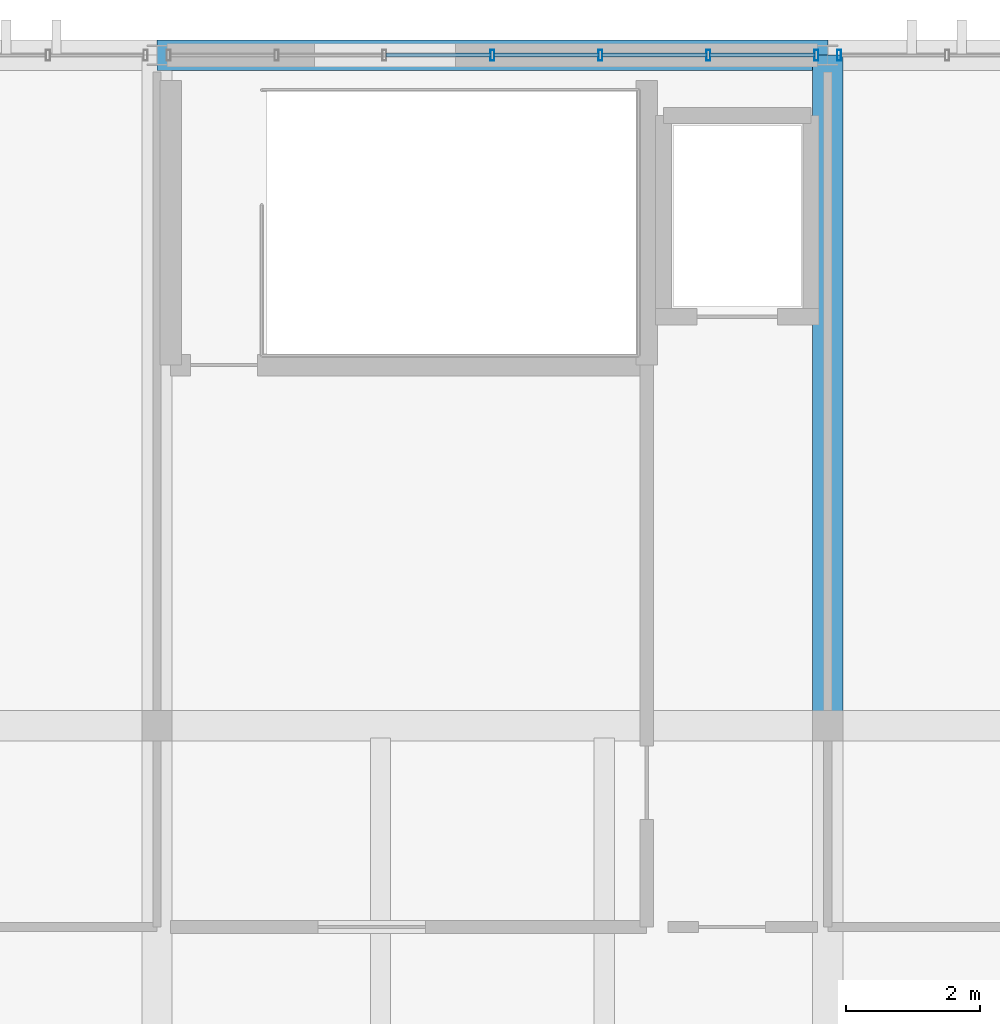
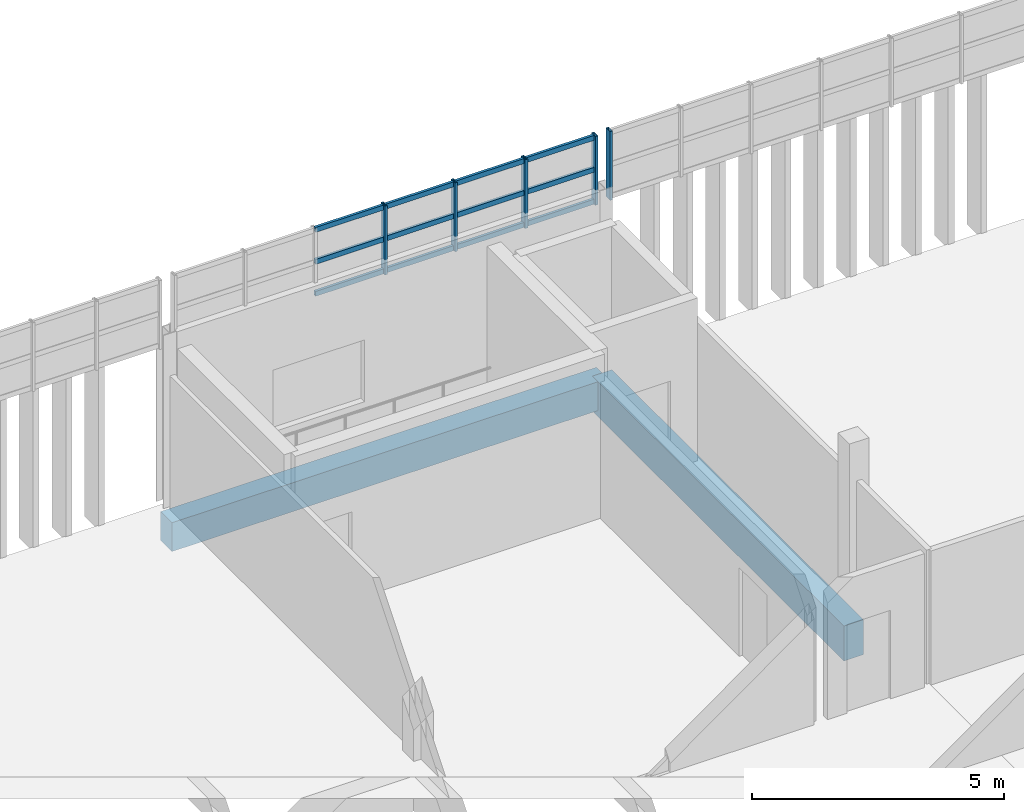
# One storey, part 23 of 36: 17 members, 2 beams, 2 elements without a shape of their own.
"""IFC4 building model written with IfcOpenShell, lengths in metres."""

import ifcopenshell
import ifcopenshell.guid

model = None  # the IFC model being written
_history = None  # IfcOwnerHistory: only IFC2X3 demands one
_inside = {}  # id of a spatial element -> (the spatial element, [elements in it])
_under = {}  # id of a project, library or spatial element -> (it, [spatial elements below it])
_declared = {}  # id of a project -> (the project, [libraries it declares])
_typed = {}  # id of a type object -> (the type object, [elements of that type])
_made_of = {}  # id of a material, layer set ... -> (it, [elements and type objects made of it])


def new_model(schema):
    """Start an empty IFC model of exactly this schema.

    Asked for "IFC4X3", IfcOpenShell would pick the latest addendum, in which some entities
    have other attributes; the version numbers below select the first issue.
    IFC2X3 requires an IfcOwnerHistory on every rooted entity: one is made here for all.
    """
    global model, _history
    if schema == "IFC4X3":
        model = ifcopenshell.file(schema_version=(4, 3, 0, 0))
    else:
        model = ifcopenshell.file(schema=schema)
    _inside.clear()
    _under.clear()
    _declared.clear()
    _typed.clear()
    _made_of.clear()
    _history = None
    if model.schema == "IFC2X3":
        org = make("IfcOrganization", Name="unknown")
        user = make(
            "IfcPersonAndOrganization",
            ThePerson=make("IfcPerson", FamilyName="unknown"),
            TheOrganization=org,
        )
        app = make(
            "IfcApplication",
            ApplicationDeveloper=org,
            Version="unknown",
            ApplicationFullName="unknown",
            ApplicationIdentifier="unknown",
        )
        _history = make(
            "IfcOwnerHistory",
            OwningUser=user,
            OwningApplication=app,
            ChangeAction="ADDED",
            CreationDate=0,
        )
    return model


def make(cls, **values):
    """One entity of the class cls with the attributes given. An attribute that is None is left unset."""
    return model.create_entity(
        cls, **{name: value for name, value in values.items() if value is not None}
    )


def rooted(cls, **values):
    """An entity with a GlobalId (a new one), such as an element, a storey or a relation."""
    return make(cls, GlobalId=ifcopenshell.guid.new(), OwnerHistory=_history, **values)


def si_unit(unit_type, name, prefix=None):
    """IfcSIUnit, for example si_unit("LENGTHUNIT", "METRE", prefix="MILLI")."""
    return make("IfcSIUnit", UnitType=unit_type, Prefix=prefix, Name=name)


def assignment(units):
    """IfcUnitAssignment: the units of a project."""
    return None if units is None else make("IfcUnitAssignment", Units=units)


def point(xyz):
    """IfcCartesianPoint."""
    return None if xyz is None else make("IfcCartesianPoint", Coordinates=xyz)


def direction(xyz):
    """IfcDirection."""
    return None if xyz is None else make("IfcDirection", DirectionRatios=xyz)


def frame(location, z_axis=None, x_axis=None):
    """IfcAxis2Placement3D, a coordinate frame: its origin and axes. An axis left out is left unset."""
    return make(
        "IfcAxis2Placement3D",
        Location=point(location),
        Axis=direction(z_axis),
        RefDirection=direction(x_axis),
    )


def frame_2d(location, x_axis=None):
    """IfcAxis2Placement2D, a coordinate frame in the plane: its origin and x axis."""
    return make(
        "IfcAxis2Placement2D", Location=point(location), RefDirection=direction(x_axis)
    )


def origin():
    """The frame at (0, 0, 0) with its axes left unset."""
    return frame((0.0, 0.0, 0.0))


def origin_2d():
    """The frame at (0, 0) in the plane with its x axis left unset."""
    return frame_2d((0.0, 0.0))


def place(relative_to, where):
    """IfcLocalPlacement: puts the frame where relative to a parent placement (None: the world)."""
    return make(
        "IfcLocalPlacement", PlacementRelTo=relative_to, RelativePlacement=where
    )


def context(
    kind, dimensions, precision=None, world=None, true_north=None, identifier=None
):
    """IfcGeometricRepresentationContext, for example the 3D "Model" context."""
    return make(
        "IfcGeometricRepresentationContext",
        ContextIdentifier=identifier,
        ContextType=kind,
        CoordinateSpaceDimension=dimensions,
        Precision=precision,
        WorldCoordinateSystem=world,
        TrueNorth=true_north,
    )


def subcontext(parent, identifier, kind, view, scale=None):
    """IfcGeometricRepresentationSubContext, for example "Body" below "Model"."""
    return make(
        "IfcGeometricRepresentationSubContext",
        ContextIdentifier=identifier,
        ContextType=kind,
        ParentContext=parent,
        TargetScale=scale,
        TargetView=view,
    )


def project(units=None, contexts=None):
    """IfcProject with its units and contexts."""
    return rooted(
        "IfcProject",
        Name="project",
        RepresentationContexts=contexts,
        UnitsInContext=assignment(units),
    )


def spatial(cls, under=None, at=None, **own):
    """A site, building, storey or space (cls), placed at a placement, below another one or the project."""
    s = rooted(cls, ObjectPlacement=at, **own)
    if under is not None:
        _under.setdefault(under.id(), (under, []))[1].append(s)
    return s


def profile(cls, at=None, kind="AREA", **sizes):
    """A parametric profile (cls). Its sizes go by their IFC names, for example OverallWidth=200.0."""
    return make(cls, ProfileType=kind, Position=at, **sizes)


def rectangle(**sizes):
    """IfcRectangleProfileDef."""
    return profile("IfcRectangleProfileDef", **sizes)


def hollow_rectangle(**sizes):
    """IfcRectangleHollowProfileDef."""
    return profile("IfcRectangleHollowProfileDef", **sizes)


def extrude(swept, where, along, depth):
    """IfcExtrudedAreaSolid: the profile swept, set in the frame where, extruded along a direction by depth."""
    return make(
        "IfcExtrudedAreaSolid",
        SweptArea=swept,
        Position=where,
        ExtrudedDirection=direction(along),
        Depth=depth,
    )


def shape(context_of_items, identifier, shape_type, items):
    """IfcShapeRepresentation: the items that make up one representation, for example the "Body"."""
    return make(
        "IfcShapeRepresentation",
        ContextOfItems=context_of_items,
        RepresentationIdentifier=identifier,
        RepresentationType=shape_type,
        Items=items,
    )


def material(Name=None, Category=None):
    """IfcMaterial."""
    return make("IfcMaterial", Name=Name, Category=Category)


def layer(
    of_material, thickness, ventilated=None, Name=None, Category=None, Priority=None
):
    """IfcMaterialLayer: one layer of a wall or slab, of a material (None: an air gap)."""
    return make(
        "IfcMaterialLayer",
        Material=of_material,
        LayerThickness=thickness,
        IsVentilated=ventilated,
        Name=Name,
        Category=Category,
        Priority=Priority,
    )


def layer_set(layers, Name=None):
    """IfcMaterialLayerSet."""
    return make("IfcMaterialLayerSet", MaterialLayers=layers, LayerSetName=Name)


def material_profile(
    of_material, cross_section, Name=None, Category=None, Priority=None
):
    """IfcMaterialProfile: a cross section and its material."""
    return make(
        "IfcMaterialProfile",
        Name=Name,
        Material=of_material,
        Profile=cross_section,
        Priority=Priority,
        Category=Category,
    )


def profile_set(profiles, Name=None, composite=None):
    """IfcMaterialProfileSet."""
    return make(
        "IfcMaterialProfileSet",
        Name=Name,
        MaterialProfiles=profiles,
        CompositeProfile=composite,
    )


def made_of(thing, what):
    """Note that an element or type object is made of a material, layer set ...; save() writes the relation."""
    if what is not None:
        _made_of.setdefault(what.id(), (what, []))[1].append(thing)
    return thing


def type_object(cls, material=None, **own):
    """A type object (cls), such as IfcWallType, which elements share."""
    return made_of(rooted(cls, **own), material)


def element(
    cls,
    number,
    at=None,
    inside=None,
    cuts=None,
    type_object=None,
    material=None,
    context=None,
    identifier="Body",
    shape_type=None,
    held_by="IfcProductDefinitionShape",
    body=None,
    shapes=None,
    **own,
):
    """One element of the class cls, such as IfcWall. Its Tag is "e" and its number.

    at: its placement. inside: the storey or other place that contains it. cuts: it is an
    opening in that element (IfcRelVoidsElement). A single representation is given by context,
    identifier, shape_type and body (its items); several are given by shapes. held_by: the class
    of the entity that holds the representations. save() writes the other relations.
    """
    e = rooted(cls, Tag="e%d" % number, ObjectPlacement=at, **own)
    if body is not None:
        shapes = [shape(context, identifier, shape_type, body)]
    if shapes is not None:
        e.Representation = make(held_by, Representations=shapes)
    if inside is not None:
        _inside.setdefault(inside.id(), (inside, []))[1].append(e)
    if cuts is not None:
        rooted(
            "IfcRelVoidsElement", RelatingBuildingElement=cuts, RelatedOpeningElement=e
        )
    if type_object is not None:
        _typed.setdefault(type_object.id(), (type_object, []))[1].append(e)
    return made_of(e, material)


def aggregate(whole, parts):
    """IfcRelAggregates: a whole, such as a stair, and the parts it consists of."""
    return rooted("IfcRelAggregates", RelatingObject=whole, RelatedObjects=parts)


def save(model, path):
    """Write the relations noted so far, then the file.

    IfcRelAggregates (storeys below a building ...), IfcRelContainedInSpatialStructure (elements
    in a storey), IfcRelDefinesByType, IfcRelAssociatesMaterial and IfcRelDeclares: one each for
    every whole, place, type object, material and project.
    """
    for whole, parts in _under.values():
        aggregate(whole, parts)
    for where, things in _inside.values():
        rooted(
            "IfcRelContainedInSpatialStructure",
            RelatedElements=things,
            RelatingStructure=where,
        )
    for kind, things in _typed.values():
        rooted("IfcRelDefinesByType", RelatedObjects=things, RelatingType=kind)
    for what, things in _made_of.values():
        rooted("IfcRelAssociatesMaterial", RelatedObjects=things, RelatingMaterial=what)
    for by, libraries in _declared.values():
        rooted("IfcRelDeclares", RelatingContext=by, RelatedDefinitions=libraries)
    model.write(path)


model = new_model("IFC4")

# Units and contexts
model_context = context("Model", 3, precision=1e-05, world=origin(), true_north=direction((0.0, 1.0)))
body_context = subcontext(model_context, "Body", "Model", "MODEL_VIEW")
ifc_project = project(units=[si_unit("LENGTHUNIT", "METRE"), si_unit("AREAUNIT", "SQUARE_METRE"), si_unit("VOLUMEUNIT", "CUBIC_METRE"), si_unit("PLANEANGLEUNIT", "RADIAN"), si_unit("MASSUNIT", "GRAM", prefix="KILO")], contexts=[model_context])

# Site, building, storey
site_placement = place(None, origin())
site = spatial("IfcSite", under=ifc_project, at=site_placement, CompositionType="ELEMENT")
building_placement = place(site_placement, origin())
building = spatial("IfcBuilding", under=site, at=building_placement, Name="Mersad Railyard Sports Hall", CompositionType="ELEMENT")
storey_placement = place(building_placement, frame((0.0, 0.0, 21.60009765625)))
storey = spatial("IfcBuildingStorey", under=building, at=storey_placement, Name="L05", CompositionType="ELEMENT", Elevation=21.60009765625)

# Curtain wall, members
ifc_material_1 = material(Name="Aluminium 6063-T6", Category="aluminium")
ifc_layer = layer(ifc_material_1, 0.159912109375)
ifc_layer_set = layer_set([ifc_layer], Name="Aluminium 6063-T6")
curtain_wall_type = type_object("IfcCurtainWallType", Name="ARC-CW-CW51", PredefinedType="USERDEFINED", material=ifc_layer_set)
curtain_wall_1_placement = place(storey_placement, origin())
curtain_wall_1 = element("IfcCurtainWall", 1, at=curtain_wall_1_placement, inside=storey, type_object=curtain_wall_type, Name="Curtain wall CW51-0133", ObjectType="CURTAIN WALL", PredefinedType="USERDEFINED")
ifc_material_profile_1 = material_profile(ifc_material_1, hollow_rectangle(XDim=0.06005859375, YDim=0.159912109375, WallThickness=0.00390625, at=origin_2d()), Name="AL MULLION 60x160x4")
ifc_profile_set_1 = profile_set([ifc_material_profile_1], Name="Aluminium 6063-T6")
member_type_1 = type_object("IfcMemberType", Name="ARC-CW-MUL01", PredefinedType="MULLION", material=ifc_profile_set_1)
member_1_placement = place(storey_placement, frame((96.0, 115.0, 3.829833984375), z_axis=(0.0, 0.0, 1.0), x_axis=(1.0, 0.0, 0.0)))
member_1 = element("IfcMember", 2, at=member_1_placement, type_object=member_type_1, Name="CW51 Mullion 4", PredefinedType="MULLION", context=body_context, shape_type="SweptSolid", body=[
    extrude(hollow_rectangle(XDim=0.06005859375, YDim=0.159912109375, WallThickness=0.00390625, at=origin_2d()), origin(), (0.0, 0.0, 1.0), 1.670166015625),
])
member_2_placement = place(storey_placement, frame((97.610107421875, 115.0, 3.829833984375), z_axis=(0.0, 0.0, 1.0), x_axis=(1.0, 0.0, 0.0)))
member_2 = element("IfcMember", 3, at=member_2_placement, type_object=member_type_1, Name="CW51 Mullion 5", PredefinedType="MULLION", context=body_context, shape_type="SweptSolid", body=[
    extrude(hollow_rectangle(XDim=0.06005859375, YDim=0.159912109375, WallThickness=0.00390625, at=origin_2d()), origin(), (0.0, 0.0, 1.0), 1.670166015625),
])
member_3_placement = place(storey_placement, frame((99.219970703125, 115.0, 3.829833984375), z_axis=(0.0, 0.0, 1.0), x_axis=(1.0, 0.0, 0.0)))
member_3 = element("IfcMember", 4, at=member_3_placement, type_object=member_type_1, Name="CW51 Mullion 6", PredefinedType="MULLION", context=body_context, shape_type="SweptSolid", body=[
    extrude(hollow_rectangle(XDim=0.06005859375, YDim=0.159912109375, WallThickness=0.00390625, at=origin_2d()), origin(), (0.0, 0.0, 1.0), 1.670166015625),
])
member_4_placement = place(storey_placement, frame((100.830078125, 115.0, 3.829833984375), z_axis=(0.0, 0.0, 1.0), x_axis=(1.0, 0.0, 0.0)))
member_4 = element("IfcMember", 5, at=member_4_placement, type_object=member_type_1, Name="CW51 Mullion 7", PredefinedType="MULLION", context=body_context, shape_type="SweptSolid", body=[
    extrude(hollow_rectangle(XDim=0.06005859375, YDim=0.159912109375, WallThickness=0.00390625, at=origin_2d()), origin(), (0.0, 0.0, 1.0), 1.670166015625),
])

# Curtain wall, member
curtain_wall_2_placement = place(storey_placement, origin())
curtain_wall_2 = element("IfcCurtainWall", 6, at=curtain_wall_2_placement, inside=storey, type_object=curtain_wall_type, Name="Curtain wall CW51-0135", ObjectType="CURTAIN WALL", PredefinedType="USERDEFINED")
member_5_placement = place(storey_placement, frame((101.169921875, 115.0, 3.829833984375), z_axis=(0.0, 0.0, 1.0), x_axis=(1.0, 0.0, 0.0)))
member_5 = element("IfcMember", 7, at=member_5_placement, type_object=member_type_1, Name="CW51 Mullion 1", PredefinedType="MULLION", context=body_context, shape_type="SweptSolid", body=[
    extrude(hollow_rectangle(XDim=0.06005859375, YDim=0.159912109375, WallThickness=0.00390625, at=origin_2d()), origin(), (0.0, 0.0, 1.0), 1.670166015625),
])
aggregate(curtain_wall_2, [member_5])

# Member
ifc_material_profile_2 = material_profile(ifc_material_1, hollow_rectangle(XDim=0.06005859375, YDim=0.1201171875, WallThickness=0.00390625, at=origin_2d()), Name="AL TRANSOM 60x120x4")
ifc_profile_set_2 = profile_set([ifc_material_profile_2], Name="Aluminium 6063-T6")
member_type_2 = type_object("IfcMemberType", Name="ARC-CW-TRN01", PredefinedType="USERDEFINED", material=ifc_profile_set_2)
member_6_placement = place(storey_placement, frame((94.409912109375, 115.0, 3.889892578125), z_axis=(1.0, 0.0, 0.0), x_axis=(0.0, 1.0, 0.0)))
member_6 = element("IfcMember", 8, at=member_6_placement, type_object=member_type_2, Name="CW51 Transom 1-3", ObjectType="TRANSOM", PredefinedType="USERDEFINED", context=body_context, shape_type="SweptSolid", body=[
    extrude(hollow_rectangle(XDim=0.06005859375, YDim=0.1201171875, WallThickness=0.00390625, at=origin_2d()), origin(), (0.0, 0.0, 1.0), 1.570068359375),
])

member_7_placement = place(storey_placement, frame((96.02001953125, 115.0, 3.889892578125), z_axis=(1.0, 0.0, 0.0), x_axis=(0.0, 1.0, 0.0)))
member_7 = element("IfcMember", 9, at=member_7_placement, type_object=member_type_2, Name="CW51 Transom 1-4", ObjectType="TRANSOM", PredefinedType="USERDEFINED", context=body_context, shape_type="SweptSolid", body=[
    extrude(hollow_rectangle(XDim=0.06005859375, YDim=0.1201171875, WallThickness=0.00390625, at=origin_2d()), origin(), (0.0, 0.0, 1.0), 1.570068359375),
])

member_8_placement = place(storey_placement, frame((97.6298828125, 115.0, 3.889892578125), z_axis=(1.0, 0.0, 0.0), x_axis=(0.0, 1.0, 0.0)))
member_8 = element("IfcMember", 10, at=member_8_placement, type_object=member_type_2, Name="CW51 Transom 1-5", ObjectType="TRANSOM", PredefinedType="USERDEFINED", context=body_context, shape_type="SweptSolid", body=[
    extrude(hollow_rectangle(XDim=0.06005859375, YDim=0.1201171875, WallThickness=0.00390625, at=origin_2d()), origin(), (0.0, 0.0, 1.0), 1.570068359375),
])

member_9_placement = place(storey_placement, frame((99.239990234375, 115.0, 3.889892578125), z_axis=(1.0, 0.0, 0.0), x_axis=(0.0, 1.0, 0.0)))
member_9 = element("IfcMember", 11, at=member_9_placement, type_object=member_type_2, Name="CW51 Transom 1-6", ObjectType="TRANSOM", PredefinedType="USERDEFINED", context=body_context, shape_type="SweptSolid", body=[
    extrude(hollow_rectangle(XDim=0.06005859375, YDim=0.1201171875, WallThickness=0.00390625, at=origin_2d()), origin(), (0.0, 0.0, 1.0), 1.570068359375),
])

member_10_placement = place(storey_placement, frame((94.409912109375, 115.0, 4.664794921875), z_axis=(1.0, 0.0, 0.0), x_axis=(0.0, 1.0, 0.0)))
member_10 = element("IfcMember", 12, at=member_10_placement, type_object=member_type_2, Name="CW51 Transom 2-3", ObjectType="TRANSOM", PredefinedType="USERDEFINED", context=body_context, shape_type="SweptSolid", body=[
    extrude(hollow_rectangle(XDim=0.06005859375, YDim=0.1201171875, WallThickness=0.00390625, at=origin_2d()), origin(), (0.0, 0.0, 1.0), 1.570068359375),
])

member_11_placement = place(storey_placement, frame((96.02001953125, 115.0, 4.664794921875), z_axis=(1.0, 0.0, 0.0), x_axis=(0.0, 1.0, 0.0)))
member_11 = element("IfcMember", 13, at=member_11_placement, type_object=member_type_2, Name="CW51 Transom 2-4", ObjectType="TRANSOM", PredefinedType="USERDEFINED", context=body_context, shape_type="SweptSolid", body=[
    extrude(hollow_rectangle(XDim=0.06005859375, YDim=0.1201171875, WallThickness=0.00390625, at=origin_2d()), origin(), (0.0, 0.0, 1.0), 1.570068359375),
])

member_12_placement = place(storey_placement, frame((97.6298828125, 115.0, 4.664794921875), z_axis=(1.0, 0.0, 0.0), x_axis=(0.0, 1.0, 0.0)))
member_12 = element("IfcMember", 14, at=member_12_placement, type_object=member_type_2, Name="CW51 Transom 2-5", ObjectType="TRANSOM", PredefinedType="USERDEFINED", context=body_context, shape_type="SweptSolid", body=[
    extrude(hollow_rectangle(XDim=0.06005859375, YDim=0.1201171875, WallThickness=0.00390625, at=origin_2d()), origin(), (0.0, 0.0, 1.0), 1.570068359375),
])

member_13_placement = place(storey_placement, frame((99.239990234375, 115.0, 4.664794921875), z_axis=(1.0, 0.0, 0.0), x_axis=(0.0, 1.0, 0.0)))
member_13 = element("IfcMember", 15, at=member_13_placement, type_object=member_type_2, Name="CW51 Transom 2-6", ObjectType="TRANSOM", PredefinedType="USERDEFINED", context=body_context, shape_type="SweptSolid", body=[
    extrude(hollow_rectangle(XDim=0.06005859375, YDim=0.1201171875, WallThickness=0.00390625, at=origin_2d()), origin(), (0.0, 0.0, 1.0), 1.570068359375),
])

member_14_placement = place(storey_placement, frame((94.409912109375, 115.0, 5.43994140625), z_axis=(1.0, 0.0, 0.0), x_axis=(0.0, 1.0, 0.0)))
member_14 = element("IfcMember", 16, at=member_14_placement, type_object=member_type_2, Name="CW51 Transom 3-3", ObjectType="TRANSOM", PredefinedType="USERDEFINED", context=body_context, shape_type="SweptSolid", body=[
    extrude(hollow_rectangle(XDim=0.06005859375, YDim=0.1201171875, WallThickness=0.00390625, at=origin_2d()), origin(), (0.0, 0.0, 1.0), 1.570068359375),
])

member_15_placement = place(storey_placement, frame((96.02001953125, 115.0, 5.43994140625), z_axis=(1.0, 0.0, 0.0), x_axis=(0.0, 1.0, 0.0)))
member_15 = element("IfcMember", 17, at=member_15_placement, type_object=member_type_2, Name="CW51 Transom 3-4", ObjectType="TRANSOM", PredefinedType="USERDEFINED", context=body_context, shape_type="SweptSolid", body=[
    extrude(hollow_rectangle(XDim=0.06005859375, YDim=0.1201171875, WallThickness=0.00390625, at=origin_2d()), origin(), (0.0, 0.0, 1.0), 1.570068359375),
])

member_16_placement = place(storey_placement, frame((97.6298828125, 115.0, 5.43994140625), z_axis=(1.0, 0.0, 0.0), x_axis=(0.0, 1.0, 0.0)))
member_16 = element("IfcMember", 18, at=member_16_placement, type_object=member_type_2, Name="CW51 Transom 3-5", ObjectType="TRANSOM", PredefinedType="USERDEFINED", context=body_context, shape_type="SweptSolid", body=[
    extrude(hollow_rectangle(XDim=0.06005859375, YDim=0.1201171875, WallThickness=0.00390625, at=origin_2d()), origin(), (0.0, 0.0, 1.0), 1.570068359375),
])

member_17_placement = place(storey_placement, frame((99.239990234375, 115.0, 5.43994140625), z_axis=(1.0, 0.0, 0.0), x_axis=(0.0, 1.0, 0.0)))
member_17 = element("IfcMember", 19, at=member_17_placement, type_object=member_type_2, Name="CW51 Transom 3-6", ObjectType="TRANSOM", PredefinedType="USERDEFINED", context=body_context, shape_type="SweptSolid", body=[
    extrude(hollow_rectangle(XDim=0.06005859375, YDim=0.1201171875, WallThickness=0.00390625, at=origin_2d()), origin(), (0.0, 0.0, 1.0), 1.570068359375),
])

aggregate(curtain_wall_1, [member_1, member_2, member_3, member_4, member_6, member_7, member_8, member_9, member_10, member_11, member_12, member_13, member_14, member_15, member_16, member_17])

# Beams
ifc_material_2 = material(Name="Concrete C40/50", Category="concrete")
ifc_material_profile_3 = material_profile(ifc_material_2, rectangle(XDim=0.449951171875, YDim=0.85009765625, at=origin_2d()), Name="RC 450x850")
ifc_profile_set_3 = profile_set([ifc_material_profile_3], Name="Concrete C40/50")
beam_type_1 = type_object("IfcBeamType", Name="STR-BM-B02", PredefinedType="BEAM", material=ifc_profile_set_3)
beam_1_placement = place(storey_placement, frame((101.0, 105.0, -0.775146484375), z_axis=(0.0, 1.0, 0.0), x_axis=(-1.0, 0.0, 0.0)))
element("IfcBeam", 20, at=beam_1_placement, inside=storey, type_object=beam_type_1, Name="Beam B02-1441", PredefinedType="BEAM", context=body_context, shape_type="SweptSolid", body=[
    extrude(rectangle(XDim=0.449951171875, YDim=0.85009765625, at=origin_2d()), origin(), (0.0, 0.0, 1.0), 10.0),
])
ifc_material_3 = material(Name="Architectural concrete C40/50", Category="concrete")
ifc_material_profile_4 = material_profile(ifc_material_3, rectangle(XDim=0.449951171875, YDim=0.699951171875, at=origin_2d()), Name="RC 450x700")
ifc_profile_set_4 = profile_set([ifc_material_profile_4], Name="Architectural concrete C40/50")
beam_type_2 = type_object("IfcBeamType", Name="STR-BM-SP01", PredefinedType="SPANDREL", material=ifc_profile_set_4)
beam_2_placement = place(storey_placement, frame((91.0, 115.0, -0.7001953125), z_axis=(1.0, 0.0, 0.0), x_axis=(0.0, 1.0, 0.0)))
element("IfcBeam", 21, at=beam_2_placement, inside=storey, type_object=beam_type_2, Name="Beam SP01-1424", PredefinedType="SPANDREL", context=body_context, shape_type="SweptSolid", body=[
    extrude(rectangle(XDim=0.449951171875, YDim=0.699951171875, at=origin_2d()), origin(), (0.0, 0.0, 1.0), 10.0),
])

save(model, "model.ifc")
